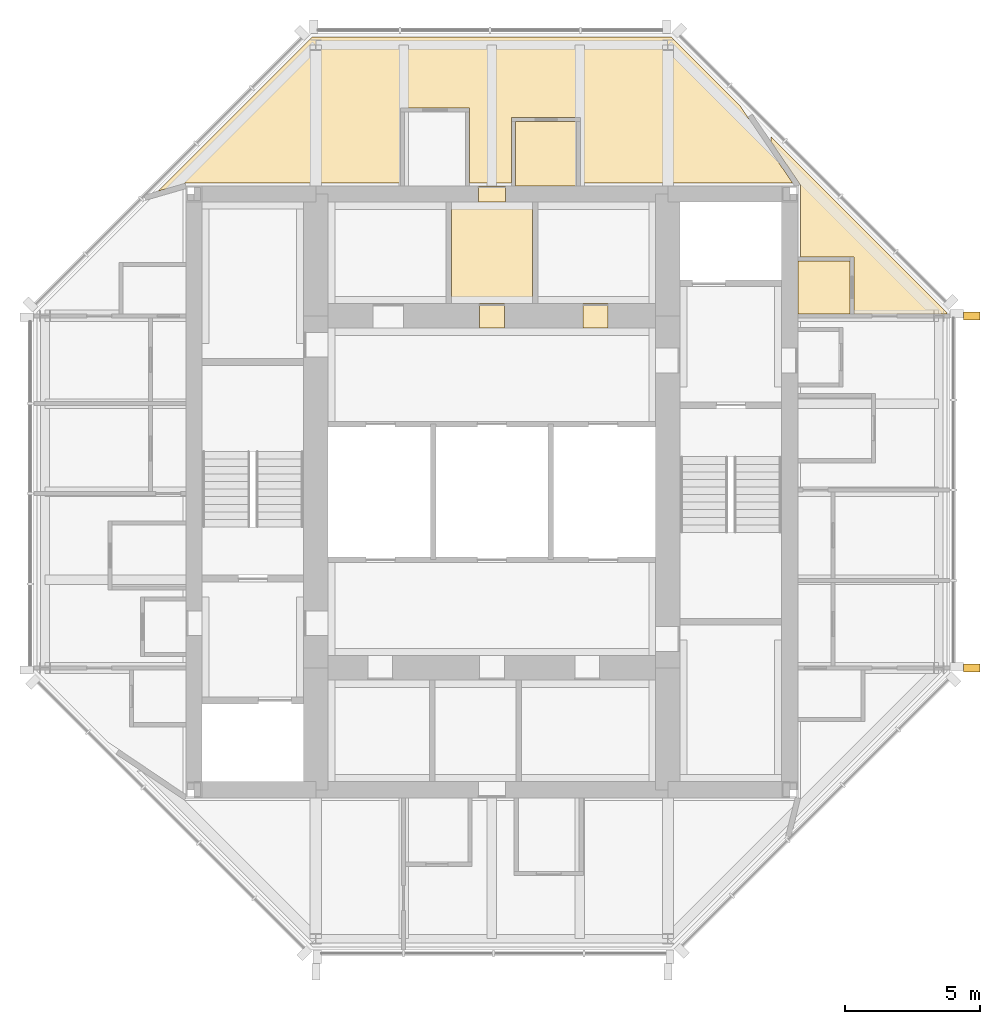
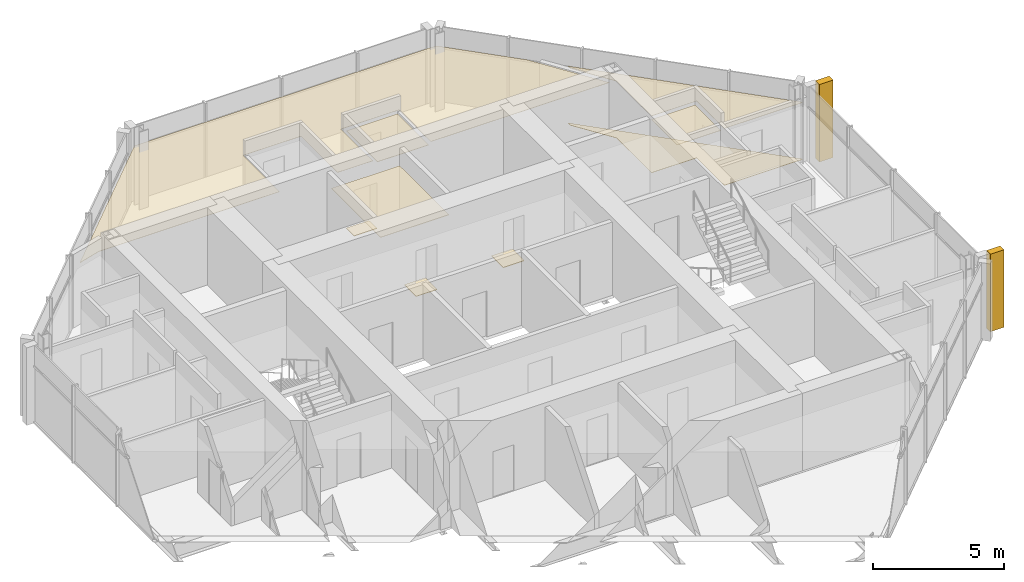
# One storey, part 9 of 9: 11 coverings.
"""IFC4 building model written with IfcOpenShell, lengths in metres."""

from ifc_helpers import new_model, si_unit, direction, frame, origin, origin_2d, place, context, subcontext, project, spatial, polyline, rectangle, outline, extrude, material, layer, layer_set, type_object, element, save


model = new_model("IFC4")

# Units and contexts
model_context = context("Model", 3, precision=1e-05, world=origin(), true_north=direction((0.0, 1.0)))
body_context = subcontext(model_context, "Body", "Model", "MODEL_VIEW")
ifc_project = project(units=[si_unit("LENGTHUNIT", "METRE"), si_unit("AREAUNIT", "SQUARE_METRE"), si_unit("VOLUMEUNIT", "CUBIC_METRE"), si_unit("PLANEANGLEUNIT", "RADIAN"), si_unit("MASSUNIT", "GRAM", prefix="KILO")], contexts=[model_context])

# Site, building, storey
site_placement = place(None, origin())
site = spatial("IfcSite", under=ifc_project, at=site_placement, CompositionType="ELEMENT")
building_placement = place(site_placement, origin())
building = spatial("IfcBuilding", under=site, at=building_placement, Name="Trevanion Tower", CompositionType="ELEMENT")
storey_placement = place(building_placement, frame((0.0, 0.0, 295.60009765625)))
storey = spatial("IfcBuildingStorey", under=building, at=storey_placement, Name="L73", CompositionType="ELEMENT", Elevation=295.60009765625)

# Coverings
ifc_material_1 = material(Name="Mineral fibre acoustic tiles in exposed grid", Category="mineral fibre")
ifc_layer_1 = layer(ifc_material_1, 0.02001953125)
ifc_layer_set_1 = layer_set([ifc_layer_1], Name="CL2 acoustic tile ceiling 20")
covering_type_1 = type_object("IfcCoveringType", Name="CL2 acoustic tile ceiling 20", PredefinedType="CEILING", material=ifc_layer_set_1)
covering_1_placement = place(storey_placement, frame((0.0, 0.0, 2.559814453125)))
element("IfcCovering", 1, at=covering_1_placement, inside=storey, type_object=covering_type_1, Name="CL2 L73-CNC", PredefinedType="CEILING", context=body_context, shape_type="SweptSolid", body=[
    extrude(outline(polyline([(1.5, 6.949951171875), (1.5, 10.699951171875), (-1.5, 10.699951171875), (-1.5, 6.949951171875), (1.5, 6.949951171875)])), origin(), (0.0, 0.0, 1.0), 0.02001953125),
])
ifc_material_2 = material(Name="Gypsum plasterboard on suspended metal furring", Category="gypsum")
ifc_layer_2 = layer(ifc_material_2, 0.012939453125)
ifc_layer_set_2 = layer_set([ifc_layer_2], Name="CL3 plasterboard ceiling 13")
covering_type_2 = type_object("IfcCoveringType", Name="CL3 plasterboard ceiling 13", PredefinedType="CEILING", material=ifc_layer_set_2)
covering_2_placement = place(storey_placement, frame((0.0, 0.0, 2.640869140625)))
element("IfcCovering", 2, at=covering_2_placement, inside=storey, type_object=covering_type_2, Name="CL3 L73-REB3", PredefinedType="CEILING", context=body_context, shape_type="SweptSolid", body=[
    extrude(outline(polyline([(13.375, 6.574951171875), (13.375, 8.675048828125), (11.39990234375, 8.675048828125), (11.39990234375, 11.330810546875), (10.300048828125, 12.94384765625), (10.300048828125, 13.124267578125), (16.800048828125, 6.624267578125), (16.800048828125, 6.574951171875), (13.375, 6.574951171875)])), origin(), (0.0, 0.0, 1.0), 0.012939453125),
])
covering_3_placement = place(storey_placement, frame((0.0, 0.0, 2.640869140625)))
element("IfcCovering", 3, at=covering_3_placement, inside=storey, type_object=covering_type_2, Name="CL3 L73-RNL", PredefinedType="CEILING", context=body_context, shape_type="SweptSolid", body=[
    extrude(outline(polyline([(9.15185546875, 14.272216796875), (11.11083984375, 11.39990234375), (3.27490234375, 11.39990234375), (3.27490234375, 13.824951171875), (0.72509765625, 13.824951171875), (0.72509765625, 11.39990234375), (-0.824951171875, 11.39990234375), (-0.824951171875, 14.175048828125), (-3.375, 14.175048828125), (-3.375, 11.39990234375), (-11.314208984375, 11.39990234375), (-12.313720703125, 11.110595703125), (-6.624267578125, 16.800048828125), (6.624267578125, 16.800048828125), (9.15185546875, 14.272216796875)])), origin(), (0.0, 0.0, 1.0), 0.012939453125),
])
ifc_material_3 = material(Name="Moisture-resistant gypsum board on suspended metal furring", Category="gypsum")
ifc_layer_3 = layer(ifc_material_3, 0.01611328125)
ifc_layer_set_3 = layer_set([ifc_layer_3], Name="CL4 moisture-resistant board ceiling 16")
covering_type_3 = type_object("IfcCoveringType", Name="CL4 moisture-resistant board ceiling 16", PredefinedType="CEILING", material=ifc_layer_set_3)
covering_4_placement = place(storey_placement, frame((0.0, 0.0, 2.599853515625)))
element("IfcCovering", 4, at=covering_4_placement, inside=storey, type_object=covering_type_3, Name="CL4 L73-REW", PredefinedType="CEILING", context=body_context, shape_type="SweptSolid", body=[
    extrude(outline(polyline([(13.22509765625, 6.574951171875), (13.22509765625, 8.52490234375), (11.300048828125, 8.52490234375), (11.300048828125, 6.574951171875), (13.22509765625, 6.574951171875)])), origin(), (0.0, 0.0, 1.0), 0.01611328125),
])
covering_5_placement = place(storey_placement, frame((0.0, 0.0, 2.599853515625)))
element("IfcCovering", 5, at=covering_5_placement, inside=storey, type_object=covering_type_3, Name="CL4 L73-RNT", PredefinedType="CEILING", context=body_context, shape_type="SweptSolid", body=[
    extrude(outline(polyline([(3.125, 13.675048828125), (0.875, 13.675048828125), (0.875, 11.300048828125), (3.125, 11.300048828125), (3.125, 13.675048828125)])), origin(), (0.0, 0.0, 1.0), 0.01611328125),
])
ifc_material_4 = material(Name="Cast bronze fin on aluminium carrier", Category="aluminium")
covering_type_4 = type_object("IfcCoveringType", Name="F1 bronze fin", PredefinedType="CLADDING", material=ifc_material_4)
for number, where, z_axis, x_axis, name in (
    (6, (17.72509765625, -6.5, -0.190185546875), (0.0, 0.0, 1.0), (0.0, 1.0, 0.0), "F1 L73 east -6.5"),
    (7, (17.72509765625, 6.5, -0.190185546875), (0.0, 0.0, 1.0), (0.0, 1.0, 0.0), "F1 L73 east +6.5"),
):
    element("IfcCovering", number, at=place(storey_placement, frame(where, z_axis=z_axis, x_axis=x_axis)), inside=storey, type_object=covering_type_4, Name=name, PredefinedType="CLADDING", context=body_context, shape_type="SweptSolid", body=[
        extrude(rectangle(XDim=0.300048828125, YDim=0.60009765625, at=origin_2d()), origin(), (0.0, 0.0, 1.0), 3.60009765625),
    ])
ifc_material_5 = material(Name="Terrazzo, brass divider strips", Category="stone")
ifc_layer_4 = layer(ifc_material_5, 0.02001953125)
ifc_layer_set_4 = layer_set([ifc_layer_4], Name="FF1 terrazzo flooring")
covering_type_5 = type_object("IfcCoveringType", Name="FF1 terrazzo flooring", PredefinedType="FLOORING", material=ifc_layer_set_4)
covering_6_placement = place(storey_placement, origin())
element("IfcCovering", 8, at=covering_6_placement, inside=storey, type_object=covering_type_5, Name="FF1 threshold 73-017", PredefinedType="FLOORING", context=body_context, shape_type="SweptSolid", body=[
    extrude(outline(polyline([(0.45751953125, 6.949951171875), (-0.45751953125, 6.949951171875), (-0.45751953125, 6.050048828125), (0.45751953125, 6.050048828125), (0.45751953125, 6.949951171875)])), origin(), (0.0, 0.0, 1.0), 0.02001953125),
])
covering_7_placement = place(storey_placement, origin())
element("IfcCovering", 9, at=covering_7_placement, inside=storey, type_object=covering_type_5, Name="FF1 threshold 73-018", PredefinedType="FLOORING", context=body_context, shape_type="SweptSolid", body=[
    extrude(outline(polyline([(0.5, 11.300048828125), (-0.5, 11.300048828125), (-0.5, 10.699951171875), (0.5, 10.699951171875), (0.5, 11.300048828125)])), origin(), (0.0, 0.0, 1.0), 0.02001953125),
])
covering_8_placement = place(storey_placement, origin())
element("IfcCovering", 10, at=covering_8_placement, inside=storey, type_object=covering_type_5, Name="FF1 threshold 73-020", PredefinedType="FLOORING", context=body_context, shape_type="SweptSolid", body=[
    extrude(outline(polyline([(4.282470703125, 6.949951171875), (3.367431640625, 6.949951171875), (3.367431640625, 6.050048828125), (4.282470703125, 6.050048828125), (4.282470703125, 6.949951171875)])), origin(), (0.0, 0.0, 1.0), 0.02001953125),
])
ifc_material_6 = material(Name="Engineered oak", Category="wood")
ifc_layer_5 = layer(ifc_material_6, 0.014892578125)
ifc_layer_set_5 = layer_set([ifc_layer_5], Name="FF3 timber flooring")
covering_type_6 = type_object("IfcCoveringType", Name="FF3 timber flooring", PredefinedType="FLOORING", material=ifc_layer_set_5)
covering_9_placement = place(storey_placement, origin())
element("IfcCovering", 11, at=covering_9_placement, inside=storey, type_object=covering_type_6, Name="FF3 L73-REB3", PredefinedType="FLOORING", context=body_context, shape_type="SweptSolid", body=[
    extrude(outline(polyline([(13.375, 6.574951171875), (13.375, 8.675048828125), (11.39990234375, 8.675048828125), (11.39990234375, 11.330810546875), (10.300048828125, 12.94384765625), (10.300048828125, 13.124267578125), (16.800048828125, 6.624267578125), (16.800048828125, 6.574951171875), (13.375, 6.574951171875)])), origin(), (0.0, 0.0, 1.0), 0.014892578125),
])

save(model, "model.ifc")
